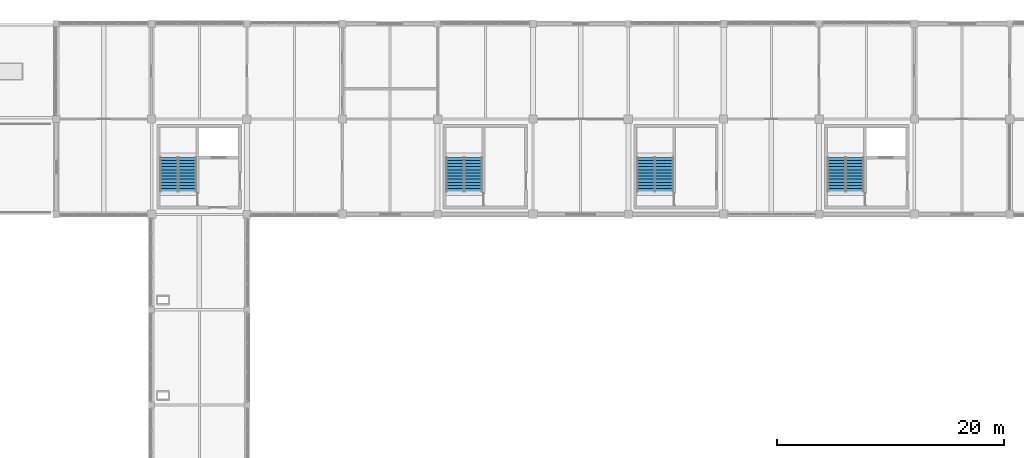
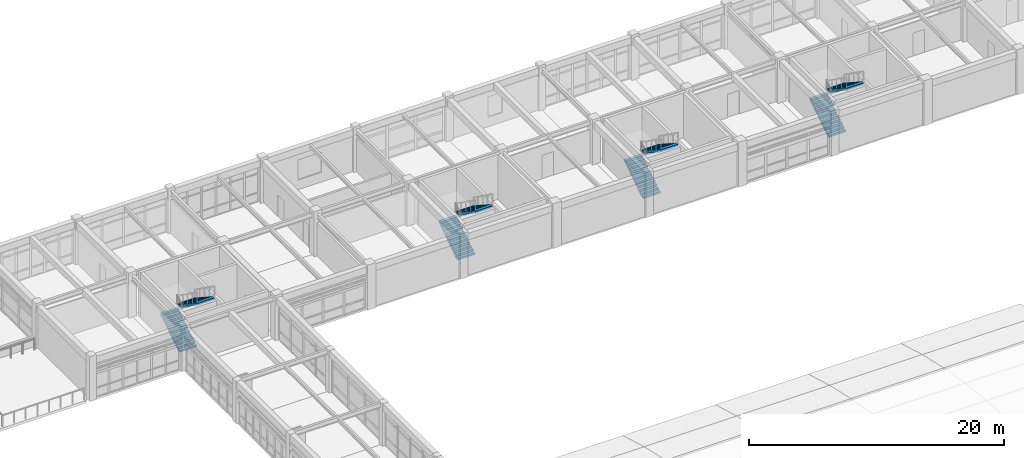
# One storey, part 38 of 40: 8 stair flights, 4 elements without a shape of their own.
"""IFC4 building model written with IfcOpenShell, lengths in metres."""

from ifc_helpers import new_model, si_unit, direction, frame, origin, place, context, subcontext, project, spatial, polyline, outline, extrude, material, layer, layer_set, type_object, element, aggregate, save


model = new_model("IFC4")

# Units and contexts
model_context = context("Model", 3, precision=1e-05, world=origin(), true_north=direction((0.0, 1.0)))
body_context = subcontext(model_context, "Body", "Model", "MODEL_VIEW")
ifc_project = project(units=[si_unit("LENGTHUNIT", "METRE"), si_unit("AREAUNIT", "SQUARE_METRE"), si_unit("VOLUMEUNIT", "CUBIC_METRE"), si_unit("PLANEANGLEUNIT", "RADIAN"), si_unit("MASSUNIT", "GRAM", prefix="KILO")], contexts=[model_context])

# Site, building, storey
site_placement = place(None, origin())
site = spatial("IfcSite", under=ifc_project, at=site_placement, CompositionType="ELEMENT")
building_placement = place(site_placement, origin())
building = spatial("IfcBuilding", under=site, at=building_placement, Name="Porcellanite Civic Hall", CompositionType="ELEMENT")
storey_placement = place(building_placement, frame((0.0, 0.0, 19.080078125)))
storey = spatial("IfcBuildingStorey", under=building, at=storey_placement, Name="L04", CompositionType="ELEMENT", Elevation=19.080078125)

# Stair, stair flights
ifc_material_1 = material(Name="Concrete N40 (40 MPa)", Category="concrete")
stair_type = type_object("IfcStairType", Name="STR-HT24", PredefinedType="HALF_TURN_STAIR", material=ifc_material_1)
stair_1_placement = place(storey_placement, origin())
stair_1 = element("IfcStair", 1, at=stair_1_placement, inside=storey, type_object=stair_type, Name="Fire stair ST-03 L04", PredefinedType="HALF_TURN_STAIR")
ifc_material_2 = material(Name="Concrete N40 (40 MPa)", Category="concrete")
ifc_layer = layer(ifc_material_2, 0.199951171875)
ifc_layer_set = layer_set([ifc_layer], Name="Concrete N40 (40 MPa)")
stair_flight_type = type_object("IfcStairFlightType", Name="FLT-154C", PredefinedType="STRAIGHT", material=ifc_layer_set)
stair_flight_1_placement = place(storey_placement, frame((51.9599609375, 102.800048828125, 0.0), z_axis=(0.0, 0.0, 1.0), x_axis=(0.0, 1.0, 0.0)))
stair_flight_1 = element("IfcStairFlight", 2, at=stair_flight_1_placement, type_object=stair_flight_type, Name="ST-03 flight 1", NumberOfRisers=12, NumberOfTreads=11, PredefinedType="STRAIGHT", RiserHeight=0.18, TreadLength=0.275, context=body_context, shape_type="SweptSolid", body=[
    extrude(outline(polyline([(0.0, 0.0), (0.0, 0.179931640625), (0.27490234375, 0.179931640625), (0.27490234375, 0.360107421875), (0.550048828125, 0.360107421875), (0.550048828125, 0.5400390625), (0.824951171875, 0.5400390625), (0.824951171875, 0.719970703125), (1.10009765625, 0.719970703125), (1.10009765625, 0.89990234375), (1.375, 0.89990234375), (1.375, 1.080078125), (1.64990234375, 1.080078125), (1.64990234375, 1.260009765625), (1.925048828125, 1.260009765625), (1.925048828125, 1.43994140625), (2.199951171875, 1.43994140625), (2.199951171875, 1.6201171875), (2.47509765625, 1.6201171875), (2.47509765625, 1.800048828125), (2.75, 1.800048828125), (2.75, 1.97998046875), (3.02490234375, 1.97998046875), (3.02490234375, 2.159912109375), (3.02490234375, 1.764892578125), (0.32861328125, 0.0), (0.0, 0.0)])), frame((0.0, 0.77001953125, 0.0), z_axis=(0.0, -1.0, 0.0), x_axis=(1.0, 0.0, 0.0)), (0.0, 0.0, 1.0), 1.5400390625),
])
stair_flight_2_placement = place(storey_placement, frame((53.5400390625, 105.824951171875, 2.159912109375), z_axis=(0.0, 0.0, 1.0), x_axis=(0.0, -1.0, 0.0)))
stair_flight_2 = element("IfcStairFlight", 3, at=stair_flight_2_placement, type_object=stair_flight_type, Name="ST-03 flight 2", NumberOfRisers=12, NumberOfTreads=11, PredefinedType="STRAIGHT", RiserHeight=0.18, TreadLength=0.275, context=body_context, shape_type="SweptSolid", body=[
    extrude(outline(polyline([(0.0, 0.0), (0.0, 0.179931640625), (0.27490234375, 0.179931640625), (0.27490234375, 0.360107421875), (0.550048828125, 0.360107421875), (0.550048828125, 0.5400390625), (0.824951171875, 0.5400390625), (0.824951171875, 0.719970703125), (1.10009765625, 0.719970703125), (1.10009765625, 0.89990234375), (1.375, 0.89990234375), (1.375, 1.080078125), (1.64990234375, 1.080078125), (1.64990234375, 1.260009765625), (1.925048828125, 1.260009765625), (1.925048828125, 1.43994140625), (2.199951171875, 1.43994140625), (2.199951171875, 1.6201171875), (2.47509765625, 1.6201171875), (2.47509765625, 1.800048828125), (2.75, 1.800048828125), (2.75, 1.97998046875), (3.02490234375, 1.97998046875), (3.02490234375, 2.159912109375), (3.02490234375, 1.764892578125), (0.32861328125, 0.0), (0.0, 0.0)])), frame((0.0, 0.77001953125, 0.0), z_axis=(0.0, -1.0, 0.0), x_axis=(1.0, 0.0, 0.0)), (0.0, 0.0, 1.0), 1.5400390625),
])
aggregate(stair_1, [stair_flight_1, stair_flight_2])

stair_2_placement = place(storey_placement, origin())
stair_2 = element("IfcStair", 4, at=stair_2_placement, inside=storey, type_object=stair_type, Name="Fire stair ST-04 L04", PredefinedType="HALF_TURN_STAIR")
stair_flight_3_placement = place(storey_placement, frame((110.760009765625, 102.800048828125, 0.0), z_axis=(0.0, 0.0, 1.0), x_axis=(0.0, 1.0, 0.0)))
stair_flight_3 = element("IfcStairFlight", 5, at=stair_flight_3_placement, type_object=stair_flight_type, Name="ST-04 flight 1", NumberOfRisers=12, NumberOfTreads=11, PredefinedType="STRAIGHT", RiserHeight=0.18, TreadLength=0.275, context=body_context, shape_type="SweptSolid", body=[
    extrude(outline(polyline([(0.0, 0.0), (0.0, 0.179931640625), (0.27490234375, 0.179931640625), (0.27490234375, 0.360107421875), (0.550048828125, 0.360107421875), (0.550048828125, 0.5400390625), (0.824951171875, 0.5400390625), (0.824951171875, 0.719970703125), (1.10009765625, 0.719970703125), (1.10009765625, 0.89990234375), (1.375, 0.89990234375), (1.375, 1.080078125), (1.64990234375, 1.080078125), (1.64990234375, 1.260009765625), (1.925048828125, 1.260009765625), (1.925048828125, 1.43994140625), (2.199951171875, 1.43994140625), (2.199951171875, 1.6201171875), (2.47509765625, 1.6201171875), (2.47509765625, 1.800048828125), (2.75, 1.800048828125), (2.75, 1.97998046875), (3.02490234375, 1.97998046875), (3.02490234375, 2.159912109375), (3.02490234375, 1.764892578125), (0.32861328125, 0.0), (0.0, 0.0)])), frame((0.0, 0.77001953125, 0.0), z_axis=(0.0, -1.0, 0.0), x_axis=(1.0, 0.0, 0.0)), (0.0, 0.0, 1.0), 1.5400390625),
])
stair_flight_4_placement = place(storey_placement, frame((112.340087890625, 105.824951171875, 2.159912109375), z_axis=(0.0, 0.0, 1.0), x_axis=(0.0, -1.0, 0.0)))
stair_flight_4 = element("IfcStairFlight", 6, at=stair_flight_4_placement, type_object=stair_flight_type, Name="ST-04 flight 2", NumberOfRisers=12, NumberOfTreads=11, PredefinedType="STRAIGHT", RiserHeight=0.18, TreadLength=0.275, context=body_context, shape_type="SweptSolid", body=[
    extrude(outline(polyline([(0.0, 0.0), (0.0, 0.179931640625), (0.27490234375, 0.179931640625), (0.27490234375, 0.360107421875), (0.550048828125, 0.360107421875), (0.550048828125, 0.5400390625), (0.824951171875, 0.5400390625), (0.824951171875, 0.719970703125), (1.10009765625, 0.719970703125), (1.10009765625, 0.89990234375), (1.375, 0.89990234375), (1.375, 1.080078125), (1.64990234375, 1.080078125), (1.64990234375, 1.260009765625), (1.925048828125, 1.260009765625), (1.925048828125, 1.43994140625), (2.199951171875, 1.43994140625), (2.199951171875, 1.6201171875), (2.47509765625, 1.6201171875), (2.47509765625, 1.800048828125), (2.75, 1.800048828125), (2.75, 1.97998046875), (3.02490234375, 1.97998046875), (3.02490234375, 2.159912109375), (3.02490234375, 1.764892578125), (0.32861328125, 0.0), (0.0, 0.0)])), frame((0.0, 0.77001953125, 0.0), z_axis=(0.0, -1.0, 0.0), x_axis=(1.0, 0.0, 0.0)), (0.0, 0.0, 1.0), 1.5400390625),
])
aggregate(stair_2, [stair_flight_3, stair_flight_4])

stair_3_placement = place(storey_placement, origin())
stair_3 = element("IfcStair", 7, at=stair_3_placement, inside=storey, type_object=stair_type, Name="Fire stair ST-09 L04", PredefinedType="HALF_TURN_STAIR")
stair_flight_5_placement = place(storey_placement, frame((77.159912109375, 102.800048828125, 0.0), z_axis=(0.0, 0.0, 1.0), x_axis=(0.0, 1.0, 0.0)))
stair_flight_5 = element("IfcStairFlight", 8, at=stair_flight_5_placement, type_object=stair_flight_type, Name="ST-09 flight 1", NumberOfRisers=12, NumberOfTreads=11, PredefinedType="STRAIGHT", RiserHeight=0.18, TreadLength=0.275, context=body_context, shape_type="SweptSolid", body=[
    extrude(outline(polyline([(0.0, 0.0), (0.0, 0.179931640625), (0.27490234375, 0.179931640625), (0.27490234375, 0.360107421875), (0.550048828125, 0.360107421875), (0.550048828125, 0.5400390625), (0.824951171875, 0.5400390625), (0.824951171875, 0.719970703125), (1.10009765625, 0.719970703125), (1.10009765625, 0.89990234375), (1.375, 0.89990234375), (1.375, 1.080078125), (1.64990234375, 1.080078125), (1.64990234375, 1.260009765625), (1.925048828125, 1.260009765625), (1.925048828125, 1.43994140625), (2.199951171875, 1.43994140625), (2.199951171875, 1.6201171875), (2.47509765625, 1.6201171875), (2.47509765625, 1.800048828125), (2.75, 1.800048828125), (2.75, 1.97998046875), (3.02490234375, 1.97998046875), (3.02490234375, 2.159912109375), (3.02490234375, 1.764892578125), (0.32861328125, 0.0), (0.0, 0.0)])), frame((0.0, 0.77001953125, 0.0), z_axis=(0.0, -1.0, 0.0), x_axis=(1.0, 0.0, 0.0)), (0.0, 0.0, 1.0), 1.5400390625),
])
stair_flight_6_placement = place(storey_placement, frame((78.739990234375, 105.824951171875, 2.159912109375), z_axis=(0.0, 0.0, 1.0), x_axis=(0.0, -1.0, 0.0)))
stair_flight_6 = element("IfcStairFlight", 9, at=stair_flight_6_placement, type_object=stair_flight_type, Name="ST-09 flight 2", NumberOfRisers=12, NumberOfTreads=11, PredefinedType="STRAIGHT", RiserHeight=0.18, TreadLength=0.275, context=body_context, shape_type="SweptSolid", body=[
    extrude(outline(polyline([(0.0, 0.0), (0.0, 0.179931640625), (0.27490234375, 0.179931640625), (0.27490234375, 0.360107421875), (0.550048828125, 0.360107421875), (0.550048828125, 0.5400390625), (0.824951171875, 0.5400390625), (0.824951171875, 0.719970703125), (1.10009765625, 0.719970703125), (1.10009765625, 0.89990234375), (1.375, 0.89990234375), (1.375, 1.080078125), (1.64990234375, 1.080078125), (1.64990234375, 1.260009765625), (1.925048828125, 1.260009765625), (1.925048828125, 1.43994140625), (2.199951171875, 1.43994140625), (2.199951171875, 1.6201171875), (2.47509765625, 1.6201171875), (2.47509765625, 1.800048828125), (2.75, 1.800048828125), (2.75, 1.97998046875), (3.02490234375, 1.97998046875), (3.02490234375, 2.159912109375), (3.02490234375, 1.764892578125), (0.32861328125, 0.0), (0.0, 0.0)])), frame((0.0, 0.77001953125, 0.0), z_axis=(0.0, -1.0, 0.0), x_axis=(1.0, 0.0, 0.0)), (0.0, 0.0, 1.0), 1.5400390625),
])
aggregate(stair_3, [stair_flight_5, stair_flight_6])

stair_4_placement = place(storey_placement, origin())
stair_4 = element("IfcStair", 10, at=stair_4_placement, inside=storey, type_object=stair_type, Name="Fire stair ST-10 L04", PredefinedType="HALF_TURN_STAIR")
stair_flight_7_placement = place(storey_placement, frame((93.9599609375, 102.800048828125, 0.0), z_axis=(0.0, 0.0, 1.0), x_axis=(0.0, 1.0, 0.0)))
stair_flight_7 = element("IfcStairFlight", 11, at=stair_flight_7_placement, type_object=stair_flight_type, Name="ST-10 flight 1", NumberOfRisers=12, NumberOfTreads=11, PredefinedType="STRAIGHT", RiserHeight=0.18, TreadLength=0.275, context=body_context, shape_type="SweptSolid", body=[
    extrude(outline(polyline([(0.0, 0.0), (0.0, 0.179931640625), (0.27490234375, 0.179931640625), (0.27490234375, 0.360107421875), (0.550048828125, 0.360107421875), (0.550048828125, 0.5400390625), (0.824951171875, 0.5400390625), (0.824951171875, 0.719970703125), (1.10009765625, 0.719970703125), (1.10009765625, 0.89990234375), (1.375, 0.89990234375), (1.375, 1.080078125), (1.64990234375, 1.080078125), (1.64990234375, 1.260009765625), (1.925048828125, 1.260009765625), (1.925048828125, 1.43994140625), (2.199951171875, 1.43994140625), (2.199951171875, 1.6201171875), (2.47509765625, 1.6201171875), (2.47509765625, 1.800048828125), (2.75, 1.800048828125), (2.75, 1.97998046875), (3.02490234375, 1.97998046875), (3.02490234375, 2.159912109375), (3.02490234375, 1.764892578125), (0.32861328125, 0.0), (0.0, 0.0)])), frame((0.0, 0.77001953125, 0.0), z_axis=(0.0, -1.0, 0.0), x_axis=(1.0, 0.0, 0.0)), (0.0, 0.0, 1.0), 1.5400390625),
])
stair_flight_8_placement = place(storey_placement, frame((95.5400390625, 105.824951171875, 2.159912109375), z_axis=(0.0, 0.0, 1.0), x_axis=(0.0, -1.0, 0.0)))
stair_flight_8 = element("IfcStairFlight", 12, at=stair_flight_8_placement, type_object=stair_flight_type, Name="ST-10 flight 2", NumberOfRisers=12, NumberOfTreads=11, PredefinedType="STRAIGHT", RiserHeight=0.18, TreadLength=0.275, context=body_context, shape_type="SweptSolid", body=[
    extrude(outline(polyline([(0.0, 0.0), (0.0, 0.179931640625), (0.27490234375, 0.179931640625), (0.27490234375, 0.360107421875), (0.550048828125, 0.360107421875), (0.550048828125, 0.5400390625), (0.824951171875, 0.5400390625), (0.824951171875, 0.719970703125), (1.10009765625, 0.719970703125), (1.10009765625, 0.89990234375), (1.375, 0.89990234375), (1.375, 1.080078125), (1.64990234375, 1.080078125), (1.64990234375, 1.260009765625), (1.925048828125, 1.260009765625), (1.925048828125, 1.43994140625), (2.199951171875, 1.43994140625), (2.199951171875, 1.6201171875), (2.47509765625, 1.6201171875), (2.47509765625, 1.800048828125), (2.75, 1.800048828125), (2.75, 1.97998046875), (3.02490234375, 1.97998046875), (3.02490234375, 2.159912109375), (3.02490234375, 1.764892578125), (0.32861328125, 0.0), (0.0, 0.0)])), frame((0.0, 0.77001953125, 0.0), z_axis=(0.0, -1.0, 0.0), x_axis=(1.0, 0.0, 0.0)), (0.0, 0.0, 1.0), 1.5400390625),
])
aggregate(stair_4, [stair_flight_7, stair_flight_8])

save(model, "model.ifc")
